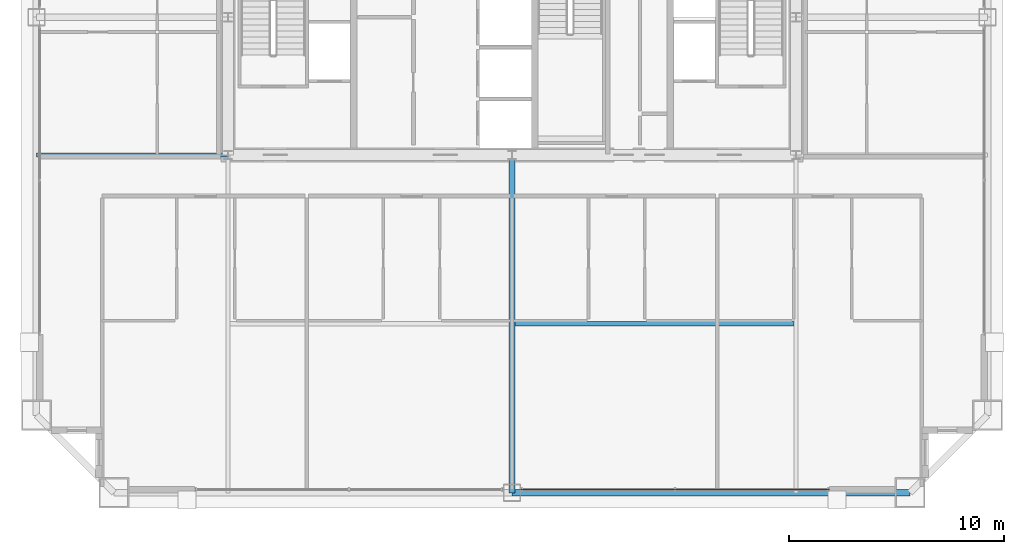
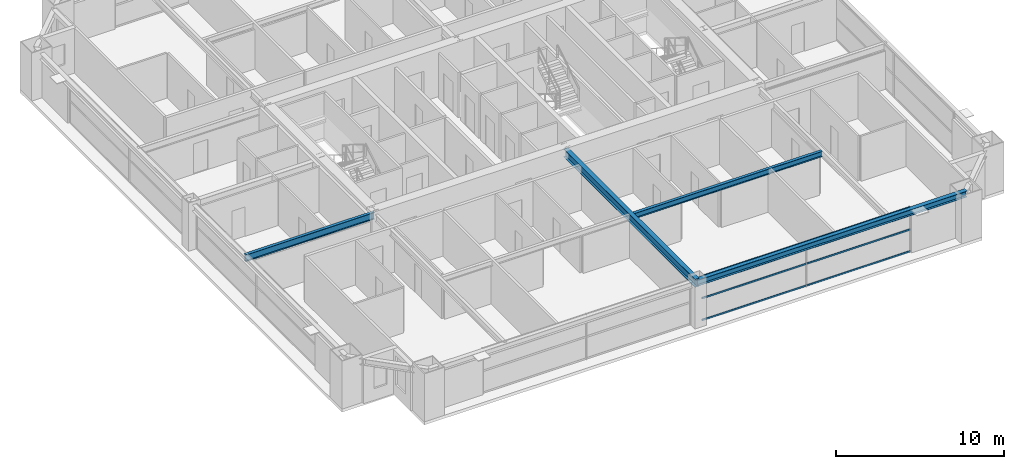
# One storey, part 11 of 38: 4 beams, 3 members, 1 element without a shape of its own.
"""IFC4 building model written with IfcOpenShell, lengths in metres."""

from ifc_helpers import new_model, si_unit, direction, frame, origin, origin_2d, place, context, subcontext, project, spatial, hollow_rectangle, i_section, extrude, source, transform, mapped, material, layer, layer_set, material_profile, profile_set, type_object, element, aggregate, save


model = new_model("IFC4")

# Units and contexts
model_context = context("Model", 3, precision=1e-05, world=origin(), true_north=direction((0.0, 1.0)))
body_context = subcontext(model_context, "Body", "Model", "MODEL_VIEW")
ifc_project = project(units=[si_unit("LENGTHUNIT", "METRE"), si_unit("AREAUNIT", "SQUARE_METRE"), si_unit("VOLUMEUNIT", "CUBIC_METRE"), si_unit("PLANEANGLEUNIT", "RADIAN"), si_unit("MASSUNIT", "GRAM", prefix="KILO"), si_unit("THERMODYNAMICTEMPERATUREUNIT", "KELVIN"), si_unit("POWERUNIT", "WATT")], contexts=[model_context])

# Site, building, storey
site_placement = place(None, origin())
site = spatial("IfcSite", under=ifc_project, at=site_placement, CompositionType="ELEMENT")
building_placement = place(site_placement, origin())
building = spatial("IfcBuilding", under=site, at=building_placement, Name="Yuzanri Waterfront Tower", CompositionType="ELEMENT")
storey_placement = place(building_placement, frame((0.0, 0.0, 188.0)))
storey = spatial("IfcBuildingStorey", under=building, at=storey_placement, Name="L49", CompositionType="ELEMENT", Elevation=188.0)

# Beams
ifc_material_1 = material(Name="Steel Q355B", Category="steel")
ifc_material_profile_1 = material_profile(ifc_material_1, i_section(OverallWidth=0.199951171875, OverallDepth=0.39990234375, WebThickness=0.008056640625, FlangeThickness=0.012939453125, at=origin_2d()), Name="HN 400x200x8x13")
ifc_profile_set_1 = profile_set([ifc_material_profile_1], Name="Steel Q355B")
beam_type_1 = type_object("IfcBeamType", Name="Floor Joist Q355B HN 400x200", PredefinedType="JOIST", material=ifc_profile_set_1)
shared_shape_1 = source(origin(), body_context, "Body", "SweptSolid", [
    extrude(i_section(OverallWidth=0.199951171875, OverallDepth=0.39990234375, WebThickness=0.008056640625, FlangeThickness=0.012939453125, at=origin_2d()), origin(), (0.0, 0.0, 1.0), 12.9501953125),
])
beam_1_placement = place(storey_placement, frame((37.14990234375, 11.550048828125, 3.080078125), z_axis=(1.0, 0.0, 0.0), x_axis=(0.0, 1.0, 0.0)))
element("IfcBeam", 1, at=beam_1_placement, inside=storey, type_object=beam_type_1, Name="L49 South Bay Joist E", PredefinedType="JOIST", context=body_context, shape_type="MappedRepresentation", body=[
    mapped(shared_shape_1, transform((0.0, 0.0, 0.0), scale=1.0)),
])
ifc_material_2 = material(Name="Steel Q355B", Category="steel")
ifc_material_profile_2 = material_profile(ifc_material_2, i_section(OverallWidth=0.300048828125, OverallDepth=0.43994140625, WebThickness=0.010986328125, FlangeThickness=0.01806640625, at=origin_2d()), Name="HM 440x300x11x18")
ifc_profile_set_2 = profile_set([ifc_material_profile_2], Name="Steel Q355B")
beam_type_2 = type_object("IfcBeamType", Name="Perimeter Spandrel Q355B HM 440x300", PredefinedType="SPANDREL", material=ifc_profile_set_2)
shared_shape_2 = source(origin(), body_context, "Body", "SweptSolid", [
    extrude(i_section(OverallWidth=0.300048828125, OverallDepth=0.43994140625, WebThickness=0.010986328125, FlangeThickness=0.01806640625, at=origin_2d()), origin(), (0.0, 0.0, 1.0), 18.5),
])
beam_2_placement = place(storey_placement, frame((37.0, 3.699951171875, 3.06005859375), z_axis=(1.0, 0.0, 0.0), x_axis=(0.0, 1.0, 0.0)))
element("IfcBeam", 2, at=beam_2_placement, inside=storey, type_object=beam_type_2, Name="L49 Perimeter Spandrel S2-S3", PredefinedType="SPANDREL", context=body_context, shape_type="MappedRepresentation", body=[
    mapped(shared_shape_2, transform((0.0, 0.0, 0.0), scale=1.0)),
])
ifc_material_3 = material(Name="Steel Q355B", Category="steel")
ifc_material_profile_3 = material_profile(ifc_material_3, i_section(OverallWidth=0.300048828125, OverallDepth=0.587890625, WebThickness=0.011962890625, FlangeThickness=0.02001953125, at=origin_2d()), Name="HM 588x300x12x20")
ifc_profile_set_3 = profile_set([ifc_material_profile_3], Name="Steel Q355B")
beam_type_3 = type_object("IfcBeamType", Name="Primary Floor Girder Q355B HM 588x300", PredefinedType="BEAM", material=ifc_profile_set_3)
shared_shape_3 = source(origin(), body_context, "Body", "SweptSolid", [
    extrude(i_section(OverallWidth=0.300048828125, OverallDepth=0.587890625, WebThickness=0.011962890625, FlangeThickness=0.02001953125, at=origin_2d()), origin(), (0.0, 0.0, 1.0), 15.699951171875),
])
beam_3_placement = place(storey_placement, frame((37.0, 19.39990234375, 2.986083984375), z_axis=(0.0, -1.0, 0.0), x_axis=(1.0, 0.0, 0.0)))
element("IfcBeam", 3, at=beam_3_placement, inside=storey, type_object=beam_type_3, Name="L49 South Grid Girder", PredefinedType="BEAM", context=body_context, shape_type="MappedRepresentation", body=[
    mapped(shared_shape_3, transform((0.0, 0.0, 0.0), scale=1.0)),
])
ifc_material_4 = material(Name="Steel Q355B", Category="steel")
ifc_material_profile_4 = material_profile(ifc_material_4, i_section(OverallWidth=0.199951171875, OverallDepth=0.5, WebThickness=0.010009765625, FlangeThickness=0.01611328125, at=origin_2d()), Name="HN 500x200x10x16")
ifc_profile_set_4 = profile_set([ifc_material_profile_4], Name="Steel Q355B")
beam_type_4 = type_object("IfcBeamType", Name="Secondary Floor Beam Q355B HN 500x200", PredefinedType="BEAM", material=ifc_profile_set_4)
shared_shape_4 = source(origin(), body_context, "Body", "SweptSolid", [
    extrude(i_section(OverallWidth=0.199951171875, OverallDepth=0.5, WebThickness=0.010009765625, FlangeThickness=0.01611328125, at=origin_2d()), origin(), (0.0, 0.0, 1.0), 8.900146484375),
])
beam_4_placement = place(storey_placement, frame((23.800048828125, 19.39990234375, 3.030029296875), z_axis=(-1.0, 0.0, 0.0), x_axis=(0.0, -1.0, 0.0)))
element("IfcBeam", 4, at=beam_4_placement, inside=storey, type_object=beam_type_4, Name="L49 West-South Core Line Beam", PredefinedType="BEAM", context=body_context, shape_type="MappedRepresentation", body=[
    mapped(shared_shape_4, transform((0.0, 0.0, 0.0), scale=1.0)),
])

# Curtain wall, members
ifc_material_5 = material(Name="Anodized Architectural Bronze", Category="metal")
ifc_layer = layer(ifc_material_5, 0.159912109375)
ifc_layer_set = layer_set([ifc_layer], Name="Anodized Architectural Bronze")
curtain_wall_type = type_object("IfcCurtainWallType", Name="Anodized Bronze Mid-Rise Residential Acoustic Unitized Curtain Wall 7200", PredefinedType="NOTDEFINED", material=ifc_layer_set)
curtain_wall_placement = place(storey_placement, origin())
curtain_wall = element("IfcCurtainWall", 5, at=curtain_wall_placement, inside=storey, type_object=curtain_wall_type, Name="L49 Curtain Wall CW-L49-SR", PredefinedType="NOTDEFINED")
ifc_material_6 = material(Name="Anodized Architectural Bronze", Category="metal")
ifc_material_profile_5 = material_profile(ifc_material_6, hollow_rectangle(XDim=0.06494140625, YDim=0.1201171875, WallThickness=0.00341796875, at=origin_2d()), Name="CWT 65x120")
ifc_profile_set_5 = profile_set([ifc_material_profile_5], Name="Anodized Architectural Bronze")
member_type = type_object("IfcMemberType", Name="Anodized Bronze Secondary Curtain-Wall Transom 65x120", PredefinedType="USERDEFINED", material=ifc_profile_set_5)
shared_shape_5 = source(origin(), body_context, "Body", "SweptSolid", [
    extrude(hollow_rectangle(XDim=0.06494140625, YDim=0.1201171875, WallThickness=0.00341796875, at=origin_2d()), origin(), (0.0, 0.0, 1.0), 14.35009765625),
])
member_1_placement = place(storey_placement, frame((37.39990234375, 3.85009765625, 0.050048828125), z_axis=(1.0, 0.0, 0.0), x_axis=(0.0, 1.0, 0.0)))
member_1 = element("IfcMember", 6, at=member_1_placement, type_object=member_type, Name="CW-L49-SR Transom 1", ObjectType="TRANSOM", PredefinedType="USERDEFINED", context=body_context, shape_type="MappedRepresentation", body=[
    mapped(shared_shape_5, transform((0.0, 0.0, 0.0), scale=1.0)),
])
member_2_placement = place(storey_placement, frame((37.39990234375, 3.85009765625, 1.639892578125), z_axis=(1.0, 0.0, 0.0), x_axis=(0.0, 1.0, 0.0)))
member_2 = element("IfcMember", 7, at=member_2_placement, type_object=member_type, Name="CW-L49-SR Transom 2", ObjectType="TRANSOM", PredefinedType="USERDEFINED", context=body_context, shape_type="MappedRepresentation", body=[
    mapped(shared_shape_5, transform((0.0, 0.0, 0.0), scale=1.0)),
])
member_3_placement = place(storey_placement, frame((37.39990234375, 3.85009765625, 3.22998046875), z_axis=(1.0, 0.0, 0.0), x_axis=(0.0, 1.0, 0.0)))
member_3 = element("IfcMember", 8, at=member_3_placement, type_object=member_type, Name="CW-L49-SR Transom 3", ObjectType="TRANSOM", PredefinedType="USERDEFINED", context=body_context, shape_type="MappedRepresentation", body=[
    mapped(shared_shape_5, transform((0.0, 0.0, 0.0), scale=1.0)),
])
aggregate(curtain_wall, [member_1, member_2, member_3])

save(model, "model.ifc")
